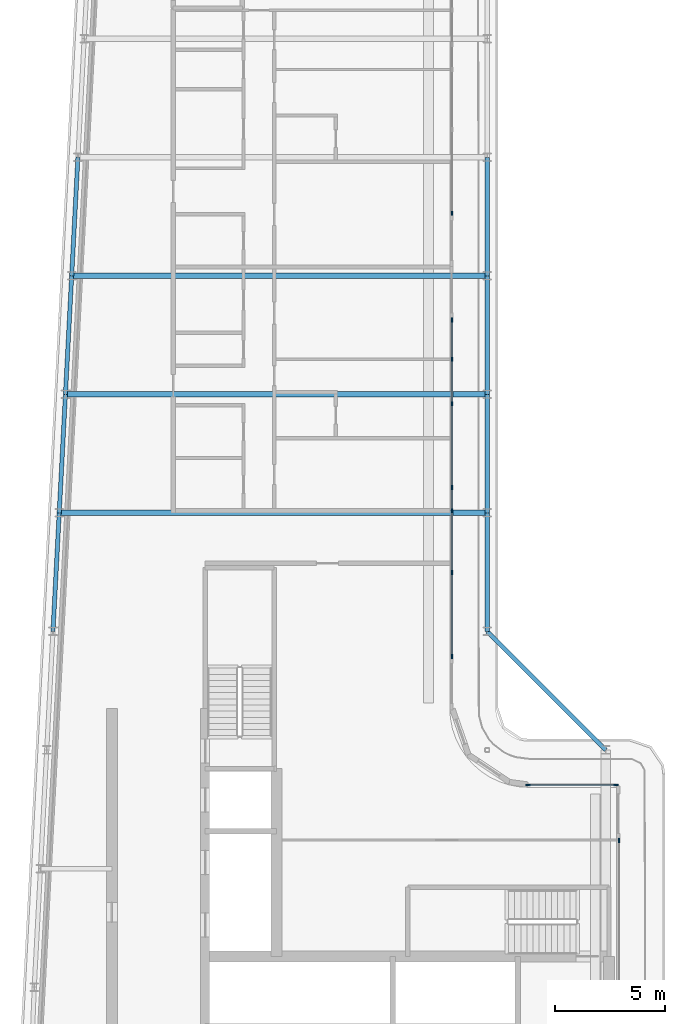
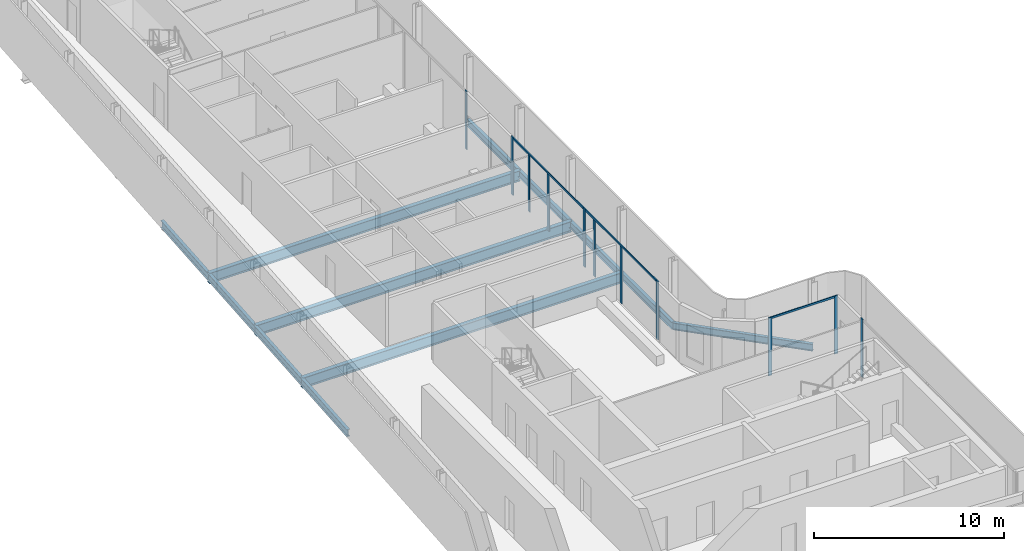
# One storey, part 5 of 18: 14 members, 12 beams, 5 elements without a shape of their own.
"""IFC4 building model written with IfcOpenShell, lengths in metres."""

import ifcopenshell
import ifcopenshell.guid

model = None  # the IFC model being written
_history = None  # IfcOwnerHistory: only IFC2X3 demands one
_inside = {}  # id of a spatial element -> (the spatial element, [elements in it])
_under = {}  # id of a project, library or spatial element -> (it, [spatial elements below it])
_declared = {}  # id of a project -> (the project, [libraries it declares])
_typed = {}  # id of a type object -> (the type object, [elements of that type])
_made_of = {}  # id of a material, layer set ... -> (it, [elements and type objects made of it])


def new_model(schema):
    """Start an empty IFC model of exactly this schema.

    Asked for "IFC4X3", IfcOpenShell would pick the latest addendum, in which some entities
    have other attributes; the version numbers below select the first issue.
    IFC2X3 requires an IfcOwnerHistory on every rooted entity: one is made here for all.
    """
    global model, _history
    if schema == "IFC4X3":
        model = ifcopenshell.file(schema_version=(4, 3, 0, 0))
    else:
        model = ifcopenshell.file(schema=schema)
    _inside.clear()
    _under.clear()
    _declared.clear()
    _typed.clear()
    _made_of.clear()
    _history = None
    if model.schema == "IFC2X3":
        org = make("IfcOrganization", Name="unknown")
        user = make(
            "IfcPersonAndOrganization",
            ThePerson=make("IfcPerson", FamilyName="unknown"),
            TheOrganization=org,
        )
        app = make(
            "IfcApplication",
            ApplicationDeveloper=org,
            Version="unknown",
            ApplicationFullName="unknown",
            ApplicationIdentifier="unknown",
        )
        _history = make(
            "IfcOwnerHistory",
            OwningUser=user,
            OwningApplication=app,
            ChangeAction="ADDED",
            CreationDate=0,
        )
    return model


def make(cls, **values):
    """One entity of the class cls with the attributes given. An attribute that is None is left unset."""
    return model.create_entity(
        cls, **{name: value for name, value in values.items() if value is not None}
    )


def rooted(cls, **values):
    """An entity with a GlobalId (a new one), such as an element, a storey or a relation."""
    return make(cls, GlobalId=ifcopenshell.guid.new(), OwnerHistory=_history, **values)


def si_unit(unit_type, name, prefix=None):
    """IfcSIUnit, for example si_unit("LENGTHUNIT", "METRE", prefix="MILLI")."""
    return make("IfcSIUnit", UnitType=unit_type, Prefix=prefix, Name=name)


def assignment(units):
    """IfcUnitAssignment: the units of a project."""
    return None if units is None else make("IfcUnitAssignment", Units=units)


def point(xyz):
    """IfcCartesianPoint."""
    return None if xyz is None else make("IfcCartesianPoint", Coordinates=xyz)


def direction(xyz):
    """IfcDirection."""
    return None if xyz is None else make("IfcDirection", DirectionRatios=xyz)


def frame(location, z_axis=None, x_axis=None):
    """IfcAxis2Placement3D, a coordinate frame: its origin and axes. An axis left out is left unset."""
    return make(
        "IfcAxis2Placement3D",
        Location=point(location),
        Axis=direction(z_axis),
        RefDirection=direction(x_axis),
    )


def frame_2d(location, x_axis=None):
    """IfcAxis2Placement2D, a coordinate frame in the plane: its origin and x axis."""
    return make(
        "IfcAxis2Placement2D", Location=point(location), RefDirection=direction(x_axis)
    )


def origin():
    """The frame at (0, 0, 0) with its axes left unset."""
    return frame((0.0, 0.0, 0.0))


def origin_2d():
    """The frame at (0, 0) in the plane with its x axis left unset."""
    return frame_2d((0.0, 0.0))


def place(relative_to, where):
    """IfcLocalPlacement: puts the frame where relative to a parent placement (None: the world)."""
    return make(
        "IfcLocalPlacement", PlacementRelTo=relative_to, RelativePlacement=where
    )


def context(
    kind, dimensions, precision=None, world=None, true_north=None, identifier=None
):
    """IfcGeometricRepresentationContext, for example the 3D "Model" context."""
    return make(
        "IfcGeometricRepresentationContext",
        ContextIdentifier=identifier,
        ContextType=kind,
        CoordinateSpaceDimension=dimensions,
        Precision=precision,
        WorldCoordinateSystem=world,
        TrueNorth=true_north,
    )


def subcontext(parent, identifier, kind, view, scale=None):
    """IfcGeometricRepresentationSubContext, for example "Body" below "Model"."""
    return make(
        "IfcGeometricRepresentationSubContext",
        ContextIdentifier=identifier,
        ContextType=kind,
        ParentContext=parent,
        TargetScale=scale,
        TargetView=view,
    )


def project(units=None, contexts=None):
    """IfcProject with its units and contexts."""
    return rooted(
        "IfcProject",
        Name="project",
        RepresentationContexts=contexts,
        UnitsInContext=assignment(units),
    )


def spatial(cls, under=None, at=None, **own):
    """A site, building, storey or space (cls), placed at a placement, below another one or the project."""
    s = rooted(cls, ObjectPlacement=at, **own)
    if under is not None:
        _under.setdefault(under.id(), (under, []))[1].append(s)
    return s


def profile(cls, at=None, kind="AREA", **sizes):
    """A parametric profile (cls). Its sizes go by their IFC names, for example OverallWidth=200.0."""
    return make(cls, ProfileType=kind, Position=at, **sizes)


def rectangle(**sizes):
    """IfcRectangleProfileDef."""
    return profile("IfcRectangleProfileDef", **sizes)


def i_section(**sizes):
    """IfcIShapeProfileDef."""
    return profile("IfcIShapeProfileDef", **sizes)


def extrude(swept, where, along, depth):
    """IfcExtrudedAreaSolid: the profile swept, set in the frame where, extruded along a direction by depth."""
    return make(
        "IfcExtrudedAreaSolid",
        SweptArea=swept,
        Position=where,
        ExtrudedDirection=direction(along),
        Depth=depth,
    )


def shape(context_of_items, identifier, shape_type, items):
    """IfcShapeRepresentation: the items that make up one representation, for example the "Body"."""
    return make(
        "IfcShapeRepresentation",
        ContextOfItems=context_of_items,
        RepresentationIdentifier=identifier,
        RepresentationType=shape_type,
        Items=items,
    )


def material(Name=None, Category=None):
    """IfcMaterial."""
    return make("IfcMaterial", Name=Name, Category=Category)


def layer(
    of_material, thickness, ventilated=None, Name=None, Category=None, Priority=None
):
    """IfcMaterialLayer: one layer of a wall or slab, of a material (None: an air gap)."""
    return make(
        "IfcMaterialLayer",
        Material=of_material,
        LayerThickness=thickness,
        IsVentilated=ventilated,
        Name=Name,
        Category=Category,
        Priority=Priority,
    )


def layer_set(layers, Name=None):
    """IfcMaterialLayerSet."""
    return make("IfcMaterialLayerSet", MaterialLayers=layers, LayerSetName=Name)


def material_profile(
    of_material, cross_section, Name=None, Category=None, Priority=None
):
    """IfcMaterialProfile: a cross section and its material."""
    return make(
        "IfcMaterialProfile",
        Name=Name,
        Material=of_material,
        Profile=cross_section,
        Priority=Priority,
        Category=Category,
    )


def profile_set(profiles, Name=None, composite=None):
    """IfcMaterialProfileSet."""
    return make(
        "IfcMaterialProfileSet",
        Name=Name,
        MaterialProfiles=profiles,
        CompositeProfile=composite,
    )


def made_of(thing, what):
    """Note that an element or type object is made of a material, layer set ...; save() writes the relation."""
    if what is not None:
        _made_of.setdefault(what.id(), (what, []))[1].append(thing)
    return thing


def type_object(cls, material=None, **own):
    """A type object (cls), such as IfcWallType, which elements share."""
    return made_of(rooted(cls, **own), material)


def element(
    cls,
    number,
    at=None,
    inside=None,
    cuts=None,
    type_object=None,
    material=None,
    context=None,
    identifier="Body",
    shape_type=None,
    held_by="IfcProductDefinitionShape",
    body=None,
    shapes=None,
    **own,
):
    """One element of the class cls, such as IfcWall. Its Tag is "e" and its number.

    at: its placement. inside: the storey or other place that contains it. cuts: it is an
    opening in that element (IfcRelVoidsElement). A single representation is given by context,
    identifier, shape_type and body (its items); several are given by shapes. held_by: the class
    of the entity that holds the representations. save() writes the other relations.
    """
    e = rooted(cls, Tag="e%d" % number, ObjectPlacement=at, **own)
    if body is not None:
        shapes = [shape(context, identifier, shape_type, body)]
    if shapes is not None:
        e.Representation = make(held_by, Representations=shapes)
    if inside is not None:
        _inside.setdefault(inside.id(), (inside, []))[1].append(e)
    if cuts is not None:
        rooted(
            "IfcRelVoidsElement", RelatingBuildingElement=cuts, RelatedOpeningElement=e
        )
    if type_object is not None:
        _typed.setdefault(type_object.id(), (type_object, []))[1].append(e)
    return made_of(e, material)


def aggregate(whole, parts):
    """IfcRelAggregates: a whole, such as a stair, and the parts it consists of."""
    return rooted("IfcRelAggregates", RelatingObject=whole, RelatedObjects=parts)


def save(model, path):
    """Write the relations noted so far, then the file.

    IfcRelAggregates (storeys below a building ...), IfcRelContainedInSpatialStructure (elements
    in a storey), IfcRelDefinesByType, IfcRelAssociatesMaterial and IfcRelDeclares: one each for
    every whole, place, type object, material and project.
    """
    for whole, parts in _under.values():
        aggregate(whole, parts)
    for where, things in _inside.values():
        rooted(
            "IfcRelContainedInSpatialStructure",
            RelatedElements=things,
            RelatingStructure=where,
        )
    for kind, things in _typed.values():
        rooted("IfcRelDefinesByType", RelatedObjects=things, RelatingType=kind)
    for what, things in _made_of.values():
        rooted("IfcRelAssociatesMaterial", RelatedObjects=things, RelatingMaterial=what)
    for by, libraries in _declared.values():
        rooted("IfcRelDeclares", RelatingContext=by, RelatedDefinitions=libraries)
    model.write(path)


model = new_model("IFC4")

# Units and contexts
model_context = context("Model", 3, precision=1e-05, world=origin(), true_north=direction((0.0, 1.0)))
body_context = subcontext(model_context, "Body", "Model", "MODEL_VIEW")
ifc_project = project(units=[si_unit("LENGTHUNIT", "METRE"), si_unit("AREAUNIT", "SQUARE_METRE"), si_unit("VOLUMEUNIT", "CUBIC_METRE"), si_unit("PLANEANGLEUNIT", "RADIAN"), si_unit("MASSUNIT", "GRAM", prefix="KILO")], contexts=[model_context])

# Site, building, storey
site_placement = place(None, origin())
site = spatial("IfcSite", under=ifc_project, at=site_placement, CompositionType="ELEMENT")
building_placement = place(site_placement, origin())
building = spatial("IfcBuilding", under=site, at=building_placement, Name="Kheshtan School and Residences Tower", CompositionType="ELEMENT")
storey_placement = place(building_placement, frame((0.0, 0.0, 377.300048828125)))
storey = spatial("IfcBuildingStorey", under=building, at=storey_placement, Name="L89", CompositionType="ELEMENT", Elevation=377.300048828125)

# Beams
ifc_material_1 = material(Name="Steel ASTM A992 Grade 50", Category="steel")
ifc_material_profile_1 = material_profile(ifc_material_1, i_section(OverallWidth=0.2529296875, OverallDepth=0.677978515625, WebThickness=0.01171875, FlangeThickness=0.016357421875, FilletRadius=0.0146484375, at=origin_2d()), Name="W690x125")
ifc_profile_set_1 = profile_set([ifc_material_profile_1], Name="Steel ASTM A992 Grade 50")
beam_type_1 = type_object("IfcBeamType", Name="Beam FB6 W690x125 ASTM A992 Grade 50", PredefinedType="BEAM", material=ifc_profile_set_1)
beam_1_placement = place(storey_placement, frame((47.60009765625, 67.199951171875, -0.489013671875), z_axis=(-1.0, 0.0, 0.0), x_axis=(0.0, -1.0, 0.0)))
element("IfcBeam", 1, at=beam_1_placement, inside=storey, type_object=beam_type_1, Name="Floor beam C085", PredefinedType="BEAM", context=body_context, shape_type="SweptSolid", body=[
    extrude(i_section(OverallWidth=0.2529296875, OverallDepth=0.677978515625, WebThickness=0.01171875, FlangeThickness=0.016357421875, FilletRadius=0.0146484375, at=origin_2d()), origin(), (0.0, 0.0, 1.0), 18.926025390625),
])
beam_2_placement = place(storey_placement, frame((47.60009765625, 56.39990234375, -0.489013671875), z_axis=(-1.0, 0.0, 0.0), x_axis=(0.0, -1.0, 0.0)))
element("IfcBeam", 2, at=beam_2_placement, inside=storey, type_object=beam_type_1, Name="Floor beam C081", PredefinedType="BEAM", context=body_context, shape_type="SweptSolid", body=[
    extrude(i_section(OverallWidth=0.2529296875, OverallDepth=0.677978515625, WebThickness=0.01171875, FlangeThickness=0.016357421875, FilletRadius=0.0146484375, at=origin_2d()), origin(), (0.0, 0.0, 1.0), 19.494140625),
])
beam_3_placement = place(storey_placement, frame((28.389892578125, 61.800048828125, -0.489013671875), z_axis=(1.0, 0.0, 0.0), x_axis=(0.0, 1.0, 0.0)))
element("IfcBeam", 3, at=beam_3_placement, inside=storey, type_object=beam_type_1, Name="Floor beam C082", PredefinedType="BEAM", context=body_context, shape_type="SweptSolid", body=[
    extrude(i_section(OverallWidth=0.2529296875, OverallDepth=0.677978515625, WebThickness=0.01171875, FlangeThickness=0.016357421875, FilletRadius=0.0146484375, at=origin_2d()), origin(), (0.0, 0.0, 1.0), 19.210205078125),
])
ifc_material_profile_2 = material_profile(ifc_material_1, i_section(OverallWidth=0.18994140625, OverallDepth=0.45703125, WebThickness=0.009033203125, FlangeThickness=0.014404296875, FilletRadius=0.01318359375, at=origin_2d()), Name="W460x74")
ifc_profile_set_2 = profile_set([ifc_material_profile_2], Name="Steel ASTM A992 Grade 50")
beam_type_2 = type_object("IfcBeamType", Name="Beam SP4 W460x74 ASTM A992 Grade 50", PredefinedType="BEAM", material=ifc_profile_set_2)
beam_4_placement = place(storey_placement, frame((47.60009765625, 72.60009765625, -0.378662109375), z_axis=(0.0, -1.0, 0.0), x_axis=(1.0, 0.0, 0.0)))
element("IfcBeam", 4, at=beam_4_placement, inside=storey, type_object=beam_type_2, Name="Spandrel beam C087-C085", PredefinedType="BEAM", context=body_context, shape_type="SweptSolid", body=[
    extrude(i_section(OverallWidth=0.18994140625, OverallDepth=0.45703125, WebThickness=0.009033203125, FlangeThickness=0.014404296875, FilletRadius=0.01318359375, at=origin_2d()), origin(), (0.0, 0.0, 1.0), 5.400146484375),
])
beam_5_placement = place(storey_placement, frame((47.60009765625, 67.199951171875, -0.378662109375), z_axis=(0.0, -1.0, 0.0), x_axis=(1.0, 0.0, 0.0)))
element("IfcBeam", 5, at=beam_5_placement, inside=storey, type_object=beam_type_2, Name="Spandrel beam C085-C083", PredefinedType="BEAM", context=body_context, shape_type="SweptSolid", body=[
    extrude(i_section(OverallWidth=0.18994140625, OverallDepth=0.45703125, WebThickness=0.009033203125, FlangeThickness=0.014404296875, FilletRadius=0.01318359375, at=origin_2d()), origin(), (0.0, 0.0, 1.0), 5.39990234375),
])
beam_6_placement = place(storey_placement, frame((47.60009765625, 61.800048828125, -0.378662109375), z_axis=(0.0, -1.0, 0.0), x_axis=(1.0, 0.0, 0.0)))
element("IfcBeam", 6, at=beam_6_placement, inside=storey, type_object=beam_type_2, Name="Spandrel beam C083-C081", PredefinedType="BEAM", context=body_context, shape_type="SweptSolid", body=[
    extrude(i_section(OverallWidth=0.18994140625, OverallDepth=0.45703125, WebThickness=0.009033203125, FlangeThickness=0.014404296875, FilletRadius=0.01318359375, at=origin_2d()), origin(), (0.0, 0.0, 1.0), 5.400146484375),
])
beam_7_placement = place(storey_placement, frame((47.60009765625, 56.39990234375, -0.378662109375), z_axis=(0.0, -1.0, 0.0), x_axis=(1.0, 0.0, 0.0)))
element("IfcBeam", 7, at=beam_7_placement, inside=storey, type_object=beam_type_2, Name="Spandrel beam C081-C079", PredefinedType="BEAM", context=body_context, shape_type="SweptSolid", body=[
    extrude(i_section(OverallWidth=0.18994140625, OverallDepth=0.45703125, WebThickness=0.009033203125, FlangeThickness=0.014404296875, FilletRadius=0.01318359375, at=origin_2d()), origin(), (0.0, 0.0, 1.0), 5.39990234375),
])
beam_8_placement = place(storey_placement, frame((47.60009765625, 51.0, -0.378662109375), z_axis=(0.707106781187, -0.707106781187, 0.0), x_axis=(0.707106781187, 0.707106781187, 0.0)))
element("IfcBeam", 8, at=beam_8_placement, inside=storey, type_object=beam_type_2, Name="Spandrel beam C079-C061", PredefinedType="BEAM", context=body_context, shape_type="SweptSolid", body=[
    extrude(i_section(OverallWidth=0.18994140625, OverallDepth=0.45703125, WebThickness=0.009033203125, FlangeThickness=0.014404296875, FilletRadius=0.01318359375, at=origin_2d()), origin(), (0.0, 0.0, 1.0), 7.63671875),
])
beam_9_placement = place(storey_placement, frame((27.822021484375, 51.0, -0.378662109375), z_axis=(0.05250906864, 0.998620447272, 0.0), x_axis=(-0.998620447272, 0.05250906864, 0.0)))
element("IfcBeam", 9, at=beam_9_placement, inside=storey, type_object=beam_type_2, Name="Spandrel beam C078-C080", PredefinedType="BEAM", context=body_context, shape_type="SweptSolid", body=[
    extrude(i_section(OverallWidth=0.18994140625, OverallDepth=0.45703125, WebThickness=0.009033203125, FlangeThickness=0.014404296875, FilletRadius=0.01318359375, at=origin_2d()), origin(), (0.0, 0.0, 1.0), 5.407470703125),
])
beam_10_placement = place(storey_placement, frame((28.10595703125, 56.39990234375, -0.378662109375), z_axis=(0.05250670125, 0.998620571751, 0.0), x_axis=(-0.998620571751, 0.05250670125, 0.0)))
element("IfcBeam", 10, at=beam_10_placement, inside=storey, type_object=beam_type_2, Name="Spandrel beam C080-C082", PredefinedType="BEAM", context=body_context, shape_type="SweptSolid", body=[
    extrude(i_section(OverallWidth=0.18994140625, OverallDepth=0.45703125, WebThickness=0.009033203125, FlangeThickness=0.014404296875, FilletRadius=0.01318359375, at=origin_2d()), origin(), (0.0, 0.0, 1.0), 5.40771484375),
])
beam_11_placement = place(storey_placement, frame((28.389892578125, 61.800048828125, -0.378662109375), z_axis=(0.052554093665, 0.998618078766, 0.0), x_axis=(-0.998618078766, 0.052554093665, 0.0)))
element("IfcBeam", 11, at=beam_11_placement, inside=storey, type_object=beam_type_2, Name="Spandrel beam C082-C084", PredefinedType="BEAM", context=body_context, shape_type="SweptSolid", body=[
    extrude(i_section(OverallWidth=0.18994140625, OverallDepth=0.45703125, WebThickness=0.009033203125, FlangeThickness=0.014404296875, FilletRadius=0.01318359375, at=origin_2d()), origin(), (0.0, 0.0, 1.0), 5.407470703125),
])
beam_12_placement = place(storey_placement, frame((28.674072265625, 67.199951171875, -0.378662109375), z_axis=(0.05250670125, 0.998620571751, 0.0), x_axis=(-0.998620571751, 0.05250670125, 0.0)))
element("IfcBeam", 12, at=beam_12_placement, inside=storey, type_object=beam_type_2, Name="Spandrel beam C084-C086", PredefinedType="BEAM", context=body_context, shape_type="SweptSolid", body=[
    extrude(i_section(OverallWidth=0.18994140625, OverallDepth=0.45703125, WebThickness=0.009033203125, FlangeThickness=0.014404296875, FilletRadius=0.01318359375, at=origin_2d()), origin(), (0.0, 0.0, 1.0), 5.40771484375),
])

# Curtain wall, members
ifc_material_2 = material(Name="Clear low-e glass in thermally broken aluminium frame", Category="aluminium")
ifc_layer_1 = layer(ifc_material_2, 0.199951171875)
ifc_layer_set_1 = layer_set([ifc_layer_1], Name="Curtain wall CW-B")
curtain_wall_type_1 = type_object("IfcCurtainWallType", Name="Curtain wall CW-B", PredefinedType="NOTDEFINED", material=ifc_layer_set_1)
curtain_wall_1_placement = place(storey_placement, origin())
curtain_wall_1 = element("IfcCurtainWall", 13, at=curtain_wall_1_placement, inside=storey, type_object=curtain_wall_type_1, Name="Curtain wall CWB12", PredefinedType="NOTDEFINED")
ifc_material_3 = material(Name="Thermally broken aluminium, dark bronze anodised", Category="aluminium")
ifc_material_profile_3 = material_profile(ifc_material_3, rectangle(XDim=0.06005859375, YDim=0.199951171875, at=origin_2d()), Name="CW-B mullion 60x200")
ifc_profile_set_3 = profile_set([ifc_material_profile_3], Name="Thermally broken aluminium, dark bronze anodised")
member_type_1 = type_object("IfcMemberType", Name="CW-B mullion 60x200", PredefinedType="MULLION", material=ifc_profile_set_3)
member_1_placement = place(storey_placement, frame((49.4599609375, 44.0, 0.0), z_axis=(0.0, 0.0, 1.0), x_axis=(0.0, 1.0, 0.0)))
member_1 = element("IfcMember", 14, at=member_1_placement, type_object=member_type_1, Name="CWB12 mullion 1", PredefinedType="MULLION", context=body_context, shape_type="SweptSolid", body=[
    extrude(rectangle(XDim=0.06005859375, YDim=0.199951171875, at=origin_2d()), origin(), (0.0, 0.0, 1.0), 3.75),
])
member_2_placement = place(storey_placement, frame((53.469970703125, 44.0, 0.0), z_axis=(0.0, 0.0, 1.0), x_axis=(0.0, 1.0, 0.0)))
member_2 = element("IfcMember", 15, at=member_2_placement, type_object=member_type_1, Name="CWB12 mullion 2", PredefinedType="MULLION", context=body_context, shape_type="SweptSolid", body=[
    extrude(rectangle(XDim=0.06005859375, YDim=0.199951171875, at=origin_2d()), origin(), (0.0, 0.0, 1.0), 3.75),
])
ifc_material_profile_4 = material_profile(ifc_material_3, rectangle(XDim=0.06005859375, YDim=0.1201171875, at=origin_2d()), Name="CW-B transom 60x120")
ifc_profile_set_4 = profile_set([ifc_material_profile_4], Name="Thermally broken aluminium, dark bronze anodised")
member_type_2 = type_object("IfcMemberType", Name="CW-B transom 60x120", PredefinedType="USERDEFINED", material=ifc_profile_set_4)
member_3_placement = place(storey_placement, frame((49.489990234375, 44.0, 3.68994140625), z_axis=(1.0, 0.0, 0.0), x_axis=(0.0, 1.0, 0.0)))
member_3 = element("IfcMember", 16, at=member_3_placement, type_object=member_type_2, Name="CWB12 transom 1", ObjectType="TRANSOM", PredefinedType="USERDEFINED", context=body_context, shape_type="SweptSolid", body=[
    extrude(rectangle(XDim=0.06005859375, YDim=0.1201171875, at=origin_2d()), origin(), (0.0, 0.0, 1.0), 3.949951171875),
])
aggregate(curtain_wall_1, [member_1, member_2, member_3])

# Curtain wall, member
ifc_layer_2 = layer(ifc_material_2, 0.199951171875)
ifc_layer_set_2 = layer_set([ifc_layer_2], Name="Curtain wall CW-L")
curtain_wall_type_2 = type_object("IfcCurtainWallType", Name="Curtain wall CW-L", PredefinedType="NOTDEFINED", material=ifc_layer_set_2)
curtain_wall_2_placement = place(storey_placement, origin())
curtain_wall_2 = element("IfcCurtainWall", 17, at=curtain_wall_2_placement, inside=storey, type_object=curtain_wall_type_2, Name="Curtain wall CWL8c", PredefinedType="NOTDEFINED")
ifc_material_profile_5 = material_profile(ifc_material_3, rectangle(XDim=0.06005859375, YDim=0.199951171875, at=origin_2d()), Name="CW-L mullion 60x200")
ifc_profile_set_5 = profile_set([ifc_material_profile_5], Name="Thermally broken aluminium, dark bronze anodised")
member_type_3 = type_object("IfcMemberType", Name="CW-L mullion 60x200", PredefinedType="MULLION", material=ifc_profile_set_5)
member_4_placement = place(storey_placement, frame((46.0, 70.048095703125, 0.0), z_axis=(0.0, 0.0, 1.0), x_axis=(1.0, 0.0, 0.0)))
member_4 = element("IfcMember", 18, at=member_4_placement, type_object=member_type_3, Name="CWL8c mullion 4", PredefinedType="MULLION", context=body_context, shape_type="SweptSolid", body=[
    extrude(rectangle(XDim=0.06005859375, YDim=0.199951171875, at=origin_2d()), origin(), (0.0, 0.0, 1.0), 3.75),
])
aggregate(curtain_wall_2, [member_4])

# Curtain wall, members
curtain_wall_3_placement = place(storey_placement, origin())
curtain_wall_3 = element("IfcCurtainWall", 19, at=curtain_wall_3_placement, inside=storey, type_object=curtain_wall_type_2, Name="Curtain wall CWL8c", PredefinedType="NOTDEFINED")
member_5_placement = place(storey_placement, frame((46.0, 65.18798828125, 0.0), z_axis=(0.0, 0.0, 1.0), x_axis=(1.0, 0.0, 0.0)))
member_5 = element("IfcMember", 20, at=member_5_placement, type_object=member_type_3, Name="CWL8c mullion 1", PredefinedType="MULLION", context=body_context, shape_type="SweptSolid", body=[
    extrude(rectangle(XDim=0.06005859375, YDim=0.199951171875, at=origin_2d()), origin(), (0.0, 0.0, 1.0), 3.75),
])
member_6_placement = place(storey_placement, frame((46.0, 63.39990234375, 0.0), z_axis=(0.0, 0.0, 1.0), x_axis=(1.0, 0.0, 0.0)))
member_6 = element("IfcMember", 21, at=member_6_placement, type_object=member_type_3, Name="CWL8c mullion 2", PredefinedType="MULLION", context=body_context, shape_type="SweptSolid", body=[
    extrude(rectangle(XDim=0.06005859375, YDim=0.199951171875, at=origin_2d()), origin(), (0.0, 0.0, 1.0), 3.6298828125),
])
member_7_placement = place(storey_placement, frame((46.0, 61.37109375, 0.0), z_axis=(0.0, 0.0, 1.0), x_axis=(1.0, 0.0, 0.0)))
member_7 = element("IfcMember", 22, at=member_7_placement, type_object=member_type_3, Name="CWL8c mullion 3", PredefinedType="MULLION", context=body_context, shape_type="SweptSolid", body=[
    extrude(rectangle(XDim=0.06005859375, YDim=0.199951171875, at=origin_2d()), origin(), (0.0, 0.0, 1.0), 3.6298828125),
])
member_8_placement = place(storey_placement, frame((46.0, 57.553955078125, 0.0), z_axis=(0.0, 0.0, 1.0), x_axis=(1.0, 0.0, 0.0)))
member_8 = element("IfcMember", 23, at=member_8_placement, type_object=member_type_3, Name="CWL8c mullion 4", PredefinedType="MULLION", context=body_context, shape_type="SweptSolid", body=[
    extrude(rectangle(XDim=0.06005859375, YDim=0.199951171875, at=origin_2d()), origin(), (0.0, 0.0, 1.0), 3.75),
])

curtain_wall_4_placement = place(storey_placement, origin())
curtain_wall_4 = element("IfcCurtainWall", 24, at=curtain_wall_4_placement, inside=storey, type_object=curtain_wall_type_2, Name="Curtain wall CWL8c", PredefinedType="NOTDEFINED")
member_9_placement = place(storey_placement, frame((46.0, 56.5, 0.0), z_axis=(0.0, 0.0, 1.0), x_axis=(1.0, 0.0, 0.0)))
member_9 = element("IfcMember", 25, at=member_9_placement, type_object=member_type_3, Name="CWL8c mullion 2", PredefinedType="MULLION", context=body_context, shape_type="SweptSolid", body=[
    extrude(rectangle(XDim=0.06005859375, YDim=0.199951171875, at=origin_2d()), origin(), (0.0, 0.0, 1.0), 3.6298828125),
])
member_10_placement = place(storey_placement, frame((46.0, 53.677001953125, 0.0), z_axis=(0.0, 0.0, 1.0), x_axis=(1.0, 0.0, 0.0)))
member_10 = element("IfcMember", 26, at=member_10_placement, type_object=member_type_3, Name="CWL8c mullion 3", PredefinedType="MULLION", context=body_context, shape_type="SweptSolid", body=[
    extrude(rectangle(XDim=0.06005859375, YDim=0.199951171875, at=origin_2d()), origin(), (0.0, 0.0, 1.0), 3.6298828125),
])
member_11_placement = place(storey_placement, frame((46.0, 49.860107421875, 0.0), z_axis=(0.0, 0.0, 1.0), x_axis=(1.0, 0.0, 0.0)))
member_11 = element("IfcMember", 27, at=member_11_placement, type_object=member_type_3, Name="CWL8c mullion 4", PredefinedType="MULLION", context=body_context, shape_type="SweptSolid", body=[
    extrude(rectangle(XDim=0.06005859375, YDim=0.199951171875, at=origin_2d()), origin(), (0.0, 0.0, 1.0), 3.75),
])

# Curtain wall, member
curtain_wall_5_placement = place(storey_placement, origin())
curtain_wall_5 = element("IfcCurtainWall", 28, at=curtain_wall_5_placement, inside=storey, type_object=curtain_wall_type_2, Name="Curtain wall CWL13h", PredefinedType="NOTDEFINED")
member_12_placement = place(storey_placement, frame((53.60009765625, 41.469970703125, 0.0), z_axis=(0.0, 0.0, 1.0), x_axis=(1.0, 0.0, 0.0)))
member_12 = element("IfcMember", 29, at=member_12_placement, type_object=member_type_3, Name="CWL13h mullion 1", PredefinedType="MULLION", context=body_context, shape_type="SweptSolid", body=[
    extrude(rectangle(XDim=0.06005859375, YDim=0.199951171875, at=origin_2d()), origin(), (0.0, 0.0, 1.0), 3.75),
])
aggregate(curtain_wall_5, [member_12])

# Member
ifc_material_profile_6 = material_profile(ifc_material_3, rectangle(XDim=0.06005859375, YDim=0.1201171875, at=origin_2d()), Name="CW-L transom 60x120")
ifc_profile_set_6 = profile_set([ifc_material_profile_6], Name="Thermally broken aluminium, dark bronze anodised")
member_type_4 = type_object("IfcMemberType", Name="CW-L transom 60x120", PredefinedType="USERDEFINED", material=ifc_profile_set_6)
member_13_placement = place(storey_placement, frame((46.0, 65.157958984375, 3.68994140625), z_axis=(0.0, -1.0, 0.0), x_axis=(1.0, 0.0, 0.0)))
member_13 = element("IfcMember", 30, at=member_13_placement, type_object=member_type_4, Name="CWL8c transom 1", ObjectType="TRANSOM", PredefinedType="USERDEFINED", context=body_context, shape_type="SweptSolid", body=[
    extrude(rectangle(XDim=0.06005859375, YDim=0.1201171875, at=origin_2d()), origin(), (0.0, 0.0, 1.0), 7.573974609375),
])

aggregate(curtain_wall_3, [member_5, member_6, member_7, member_8, member_13])

member_14_placement = place(storey_placement, frame((46.0, 57.52392578125, 3.68994140625), z_axis=(0.0, -1.0, 0.0), x_axis=(1.0, 0.0, 0.0)))
member_14 = element("IfcMember", 31, at=member_14_placement, type_object=member_type_4, Name="CWL8c transom 1", ObjectType="TRANSOM", PredefinedType="USERDEFINED", context=body_context, shape_type="SweptSolid", body=[
    extrude(rectangle(XDim=0.06005859375, YDim=0.1201171875, at=origin_2d()), origin(), (0.0, 0.0, 1.0), 7.634033203125),
])

aggregate(curtain_wall_4, [member_9, member_10, member_11, member_14])

save(model, "model.ifc")
